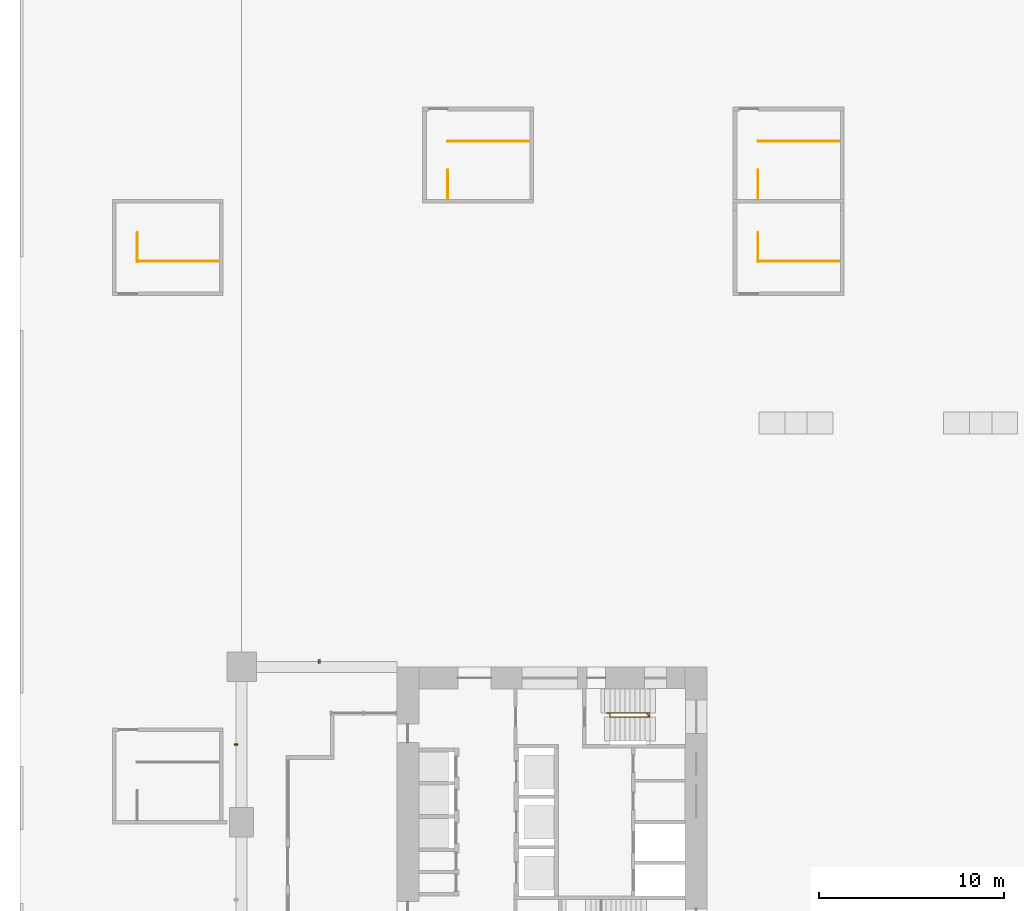
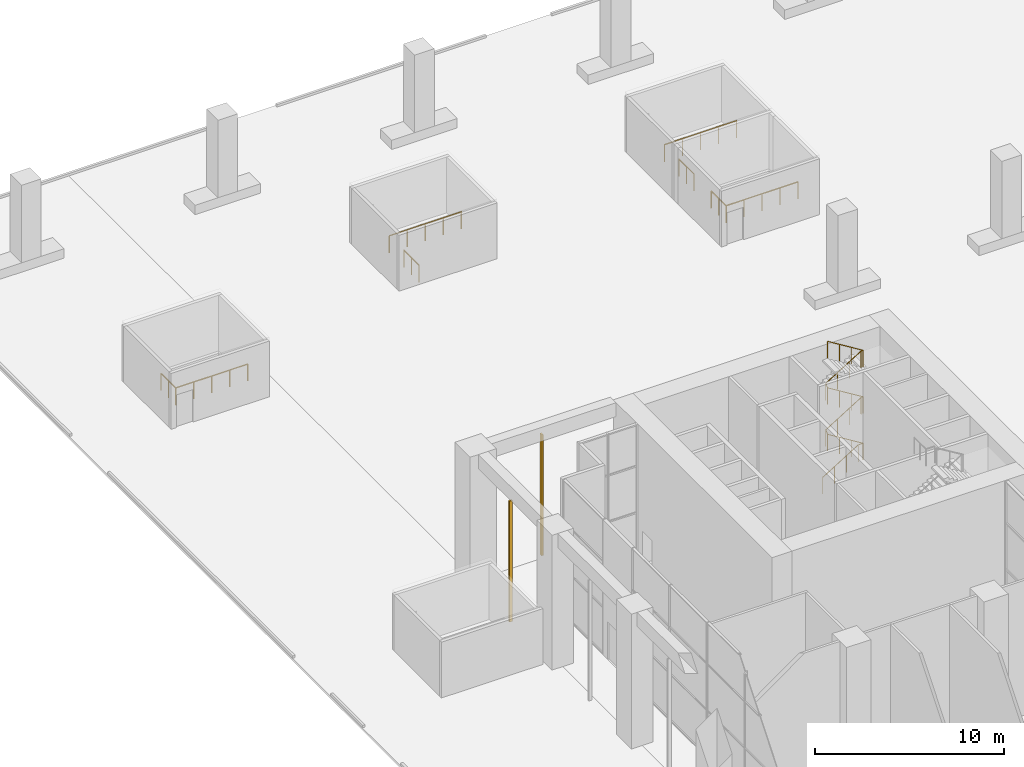
# One storey, part 41 of 46: 9 railings, 2 shading devices.
"""IFC4 building model written with IfcOpenShell, lengths in metres."""

from ifc_helpers import new_model, si_unit, direction, frame, origin, origin_2d, place, context, subcontext, project, spatial, rectangle, circle, extrude, material, material_profile, profile_set, type_object, element, save


model = new_model("IFC4")

# Units and contexts
model_context = context("Model", 3, precision=1e-05, world=origin(), true_north=direction((0.0, 1.0)))
body_context = subcontext(model_context, "Body", "Model", "MODEL_VIEW")
ifc_project = project(units=[si_unit("LENGTHUNIT", "METRE"), si_unit("AREAUNIT", "SQUARE_METRE"), si_unit("VOLUMEUNIT", "CUBIC_METRE"), si_unit("PLANEANGLEUNIT", "RADIAN"), si_unit("MASSUNIT", "GRAM", prefix="KILO")], contexts=[model_context])

# Site, building, storey
site_placement = place(None, origin())
site = spatial("IfcSite", under=ifc_project, at=site_placement, CompositionType="ELEMENT")
building_placement = place(site_placement, origin())
building = spatial("IfcBuilding", under=site, at=building_placement, Name="Vermilion Gate Residences", CompositionType="ELEMENT")
storey_placement = place(building_placement, origin())
storey = spatial("IfcBuildingStorey", under=building, at=storey_placement, Name="L00", CompositionType="ELEMENT", Elevation=0.0)

# Railings
ifc_material_1 = material(Name="Steel S355", Category="steel")
railing_type_1 = type_object("IfcRailingType", Name="STAIR GUARD 1100 STEEL", PredefinedType="GUARDRAIL", material=ifc_material_1)
railing_1_placement = place(storey_placement, frame((19.75, 56.300048828125, 0.166748046875)))
element("IfcRailing", 1, at=railing_1_placement, inside=storey, type_object=railing_type_1, Name="Stair well guard STB1-00", PredefinedType="GUARDRAIL", context=body_context, shape_type="SweptSolid", body=[
    extrude(circle(Radius=0.02392578125, at=origin_2d()), frame((0.0, 0.0, 1.076171875), z_axis=(0.850940886938, 0.0, 0.525261465307), x_axis=(0.0, 1.0, 0.0)), (0.0, 0.0, 1.0), 2.538330078125),
    extrude(circle(Radius=0.02392578125, at=origin_2d()), frame((2.159912109375, 0.0, 2.4091796875), z_axis=(0.56905867876, -0.631516338624, 0.52664915663), x_axis=(0.74288808428, 0.669415636384, 0.0)), (0.0, 0.0, 1.0), 0.316650390625),
    extrude(circle(Radius=0.02392578125, at=origin_2d()), frame((2.340087890625, -0.199951171875, 2.576171875), z_axis=(-0.850967420841, 0.0, 0.525218477081), x_axis=(0.0, -1.0, 0.0)), (0.0, 0.0, 1.0), 2.53857421875),
    extrude(circle(Radius=0.02392578125, at=origin_2d()), frame((0.179931640625, -0.199951171875, 3.9091796875), z_axis=(0.0, 0.767990643491, 0.640461061666), x_axis=(-1.0, 0.0, 0.0)), (0.0, 0.0, 1.0), 0.26025390625),
    extrude(circle(Radius=0.02392578125, at=origin_2d()), frame((0.179931640625, 0.0, 4.076171875), z_axis=(0.850967420841, 0.0, 0.525218477081), x_axis=(0.0, 1.0, 0.0)), (0.0, 0.0, 1.0), 2.53857421875),
    extrude(circle(Radius=0.02392578125, at=origin_2d()), frame((2.340087890625, 0.0, 5.4091796875), z_axis=(0.0, -0.767990643491, 0.640461061666), x_axis=(1.0, 0.0, 0.0)), (0.0, 0.0, 1.0), 0.26025390625),
    extrude(circle(Radius=0.02392578125, at=origin_2d()), frame((2.340087890625, -0.199951171875, 5.576171875), z_axis=(-0.850967420841, 0.0, 0.525218477081), x_axis=(0.0, -1.0, 0.0)), (0.0, 0.0, 1.0), 2.53857421875),
    extrude(circle(Radius=0.02392578125, at=origin_2d()), frame((0.179931640625, -0.199951171875, 6.9091796875), z_axis=(0.0, 0.767990643491, 0.640461061666), x_axis=(-1.0, 0.0, 0.0)), (0.0, 0.0, 1.0), 0.26025390625),
    extrude(circle(Radius=0.02392578125, at=origin_2d()), frame((0.179931640625, 0.0, 7.076171875), z_axis=(0.850967420841, 0.0, 0.525218477081), x_axis=(0.0, 1.0, 0.0)), (0.0, 0.0, 1.0), 2.53857421875),
    extrude(circle(Radius=0.02392578125, at=origin_2d()), frame((2.340087890625, 0.0, 8.4091796875), z_axis=(0.0, -0.767990643491, 0.640461061666), x_axis=(1.0, 0.0, 0.0)), (0.0, 0.0, 1.0), 0.26025390625),
    extrude(circle(Radius=0.02392578125, at=origin_2d()), frame((2.340087890625, -0.199951171875, 8.576171875), z_axis=(-0.850967420841, 0.0, 0.525218477081), x_axis=(0.0, -1.0, 0.0)), (0.0, 0.0, 1.0), 2.53857421875),
    extrude(circle(Radius=0.02099609375, at=origin_2d()), origin(), (0.0, 0.0, 1.0), 1.052001953125),
    extrude(circle(Radius=0.02099609375, at=origin_2d()), frame((0.719970703125, 0.0, 0.4443359375)), (0.0, 0.0, 1.0), 1.052001953125),
    extrude(circle(Radius=0.02099609375, at=origin_2d()), frame((1.43994140625, 0.0, 0.888916015625)), (0.0, 0.0, 1.0), 1.052001953125),
    extrude(circle(Radius=0.02099609375, at=origin_2d()), frame((2.159912109375, 0.0, 1.333251953125)), (0.0, 0.0, 1.0), 1.052001953125),
    extrude(circle(Radius=0.02099609375, at=origin_2d()), frame((2.340087890625, -0.199951171875, 1.5)), (0.0, 0.0, 1.0), 1.052001953125),
    extrude(circle(Radius=0.02099609375, at=origin_2d()), frame((1.6201171875, -0.199951171875, 1.9443359375)), (0.0, 0.0, 1.0), 1.052001953125),
    extrude(circle(Radius=0.02099609375, at=origin_2d()), frame((0.89990234375, -0.199951171875, 2.388916015625)), (0.0, 0.0, 1.0), 1.052001953125),
    extrude(circle(Radius=0.02099609375, at=origin_2d()), frame((0.179931640625, -0.199951171875, 2.833251953125)), (0.0, 0.0, 1.0), 1.052001953125),
    extrude(circle(Radius=0.02099609375, at=origin_2d()), frame((0.179931640625, 0.0, 3.0)), (0.0, 0.0, 1.0), 1.052001953125),
    extrude(circle(Radius=0.02099609375, at=origin_2d()), frame((0.89990234375, 0.0, 3.4443359375)), (0.0, 0.0, 1.0), 1.052001953125),
    extrude(circle(Radius=0.02099609375, at=origin_2d()), frame((1.6201171875, 0.0, 3.888916015625)), (0.0, 0.0, 1.0), 1.052001953125),
    extrude(circle(Radius=0.02099609375, at=origin_2d()), frame((2.340087890625, 0.0, 4.333251953125)), (0.0, 0.0, 1.0), 1.052001953125),
    extrude(circle(Radius=0.02099609375, at=origin_2d()), frame((2.340087890625, -0.199951171875, 4.5)), (0.0, 0.0, 1.0), 1.052001953125),
    extrude(circle(Radius=0.02099609375, at=origin_2d()), frame((1.6201171875, -0.199951171875, 4.9443359375)), (0.0, 0.0, 1.0), 1.052001953125),
    extrude(circle(Radius=0.02099609375, at=origin_2d()), frame((0.89990234375, -0.199951171875, 5.388916015625)), (0.0, 0.0, 1.0), 1.052001953125),
    extrude(circle(Radius=0.02099609375, at=origin_2d()), frame((0.179931640625, -0.199951171875, 5.833251953125)), (0.0, 0.0, 1.0), 1.052001953125),
    extrude(circle(Radius=0.02099609375, at=origin_2d()), frame((0.179931640625, 0.0, 6.0)), (0.0, 0.0, 1.0), 1.052001953125),
    extrude(circle(Radius=0.02099609375, at=origin_2d()), frame((0.89990234375, 0.0, 6.4443359375)), (0.0, 0.0, 1.0), 1.052001953125),
    extrude(circle(Radius=0.02099609375, at=origin_2d()), frame((1.6201171875, 0.0, 6.888916015625)), (0.0, 0.0, 1.0), 1.052001953125),
    extrude(circle(Radius=0.02099609375, at=origin_2d()), frame((2.340087890625, 0.0, 7.333251953125)), (0.0, 0.0, 1.0), 1.052001953125),
    extrude(circle(Radius=0.02099609375, at=origin_2d()), frame((2.340087890625, -0.199951171875, 7.5)), (0.0, 0.0, 1.0), 1.052001953125),
    extrude(circle(Radius=0.02099609375, at=origin_2d()), frame((1.6201171875, -0.199951171875, 7.9443359375)), (0.0, 0.0, 1.0), 1.052001953125),
    extrude(circle(Radius=0.02099609375, at=origin_2d()), frame((0.89990234375, -0.199951171875, 8.388916015625)), (0.0, 0.0, 1.0), 1.052001953125),
    extrude(circle(Radius=0.02099609375, at=origin_2d()), frame((0.179931640625, -0.199951171875, 8.833251953125)), (0.0, 0.0, 1.0), 1.052001953125),
])
ifc_material_2 = material(Name="Steel", Category="steel")
railing_type_2 = type_object("IfcRailingType", Name="STAIR WELL GUARD 1100 (AMENITY)", PredefinedType="GUARDRAIL", material=ifc_material_2)
railing_2_placement = place(storey_placement, frame((-5.64990234375, 80.719970703125, 0.0)))
element("IfcRailing", 2, at=railing_2_placement, inside=storey, type_object=railing_type_2, Name="Stair well guard 7", PredefinedType="GUARDRAIL", context=body_context, shape_type="SweptSolid", body=[
    extrude(circle(Radius=0.02392578125, at=origin_2d()), frame((0.0, 0.0, 1.076171875), z_axis=(0.0, 1.0, 0.0), x_axis=(-1.0, 0.0, 0.0)), (0.0, 0.0, 1.0), 1.580078125),
    extrude(circle(Radius=0.02099609375, at=origin_2d()), origin(), (0.0, 0.0, 1.0), 1.052001953125),
    extrude(circle(Radius=0.02099609375, at=origin_2d()), frame((0.0, 0.7900390625, 0.0)), (0.0, 0.0, 1.0), 1.052001953125),
    extrude(circle(Radius=0.02099609375, at=origin_2d()), frame((0.0, 1.580078125, 0.0)), (0.0, 0.0, 1.0), 1.052001953125),
])
railing_3_placement = place(storey_placement, frame((-5.64990234375, 80.75, 0.0)))
element("IfcRailing", 3, at=railing_3_placement, inside=storey, type_object=railing_type_2, Name="Stair well guard 7 side", PredefinedType="GUARDRAIL", context=body_context, shape_type="SweptSolid", body=[
    extrude(circle(Radius=0.02392578125, at=origin_2d()), frame((0.0, 0.0, 1.076171875), z_axis=(1.0, 0.0, 0.0), x_axis=(0.0, 1.0, 0.0)), (0.0, 0.0, 1.0), 4.39990234375),
    extrude(circle(Radius=0.02099609375, at=origin_2d()), origin(), (0.0, 0.0, 1.0), 1.052001953125),
    extrude(circle(Radius=0.02099609375, at=origin_2d()), frame((1.10009765625, 0.0, 0.0)), (0.0, 0.0, 1.0), 1.052001953125),
    extrude(circle(Radius=0.02099609375, at=origin_2d()), frame((2.199951171875, 0.0, 0.0)), (0.0, 0.0, 1.0), 1.052001953125),
    extrude(circle(Radius=0.02099609375, at=origin_2d()), frame((3.2998046875, 0.0, 0.0)), (0.0, 0.0, 1.0), 1.052001953125),
    extrude(circle(Radius=0.02099609375, at=origin_2d()), frame((4.39990234375, 0.0, 0.0)), (0.0, 0.0, 1.0), 1.052001953125),
])
railing_4_placement = place(storey_placement, frame((11.14990234375, 84.1201171875, 0.0)))
element("IfcRailing", 4, at=railing_4_placement, inside=storey, type_object=railing_type_2, Name="Stair well guard 8", PredefinedType="GUARDRAIL", context=body_context, shape_type="SweptSolid", body=[
    extrude(circle(Radius=0.02392578125, at=origin_2d()), frame((0.0, 0.0, 1.076171875), z_axis=(0.0, 1.0, 0.0), x_axis=(-1.0, 0.0, 0.0)), (0.0, 0.0, 1.0), 1.579833984375),
    extrude(circle(Radius=0.02099609375, at=origin_2d()), origin(), (0.0, 0.0, 1.0), 1.052001953125),
    extrude(circle(Radius=0.02099609375, at=origin_2d()), frame((0.0, 0.7900390625, 0.0)), (0.0, 0.0, 1.0), 1.052001953125),
    extrude(circle(Radius=0.02099609375, at=origin_2d()), frame((0.0, 1.579833984375, 0.0)), (0.0, 0.0, 1.0), 1.052001953125),
])
railing_5_placement = place(storey_placement, frame((11.14990234375, 87.25, 0.0)))
element("IfcRailing", 5, at=railing_5_placement, inside=storey, type_object=railing_type_2, Name="Stair well guard 8 side", PredefinedType="GUARDRAIL", context=body_context, shape_type="SweptSolid", body=[
    extrude(circle(Radius=0.02392578125, at=origin_2d()), frame((0.0, 0.0, 1.076171875), z_axis=(1.0, 0.0, 0.0), x_axis=(0.0, 1.0, 0.0)), (0.0, 0.0, 1.0), 4.400146484375),
    extrude(circle(Radius=0.02099609375, at=origin_2d()), origin(), (0.0, 0.0, 1.0), 1.052001953125),
    extrude(circle(Radius=0.02099609375, at=origin_2d()), frame((1.10009765625, 0.0, 0.0)), (0.0, 0.0, 1.0), 1.052001953125),
    extrude(circle(Radius=0.02099609375, at=origin_2d()), frame((2.2001953125, 0.0, 0.0)), (0.0, 0.0, 1.0), 1.052001953125),
    extrude(circle(Radius=0.02099609375, at=origin_2d()), frame((3.300048828125, 0.0, 0.0)), (0.0, 0.0, 1.0), 1.052001953125),
    extrude(circle(Radius=0.02099609375, at=origin_2d()), frame((4.400146484375, 0.0, 0.0)), (0.0, 0.0, 1.0), 1.052001953125),
])
railing_6_placement = place(storey_placement, frame((27.949951171875, 84.1201171875, 0.0)))
element("IfcRailing", 6, at=railing_6_placement, inside=storey, type_object=railing_type_2, Name="Stair well guard 9", PredefinedType="GUARDRAIL", context=body_context, shape_type="SweptSolid", body=[
    extrude(circle(Radius=0.02392578125, at=origin_2d()), frame((0.0, 0.0, 1.076171875), z_axis=(0.0, 1.0, 0.0), x_axis=(-1.0, 0.0, 0.0)), (0.0, 0.0, 1.0), 1.579833984375),
    extrude(circle(Radius=0.02099609375, at=origin_2d()), origin(), (0.0, 0.0, 1.0), 1.052001953125),
    extrude(circle(Radius=0.02099609375, at=origin_2d()), frame((0.0, 0.7900390625, 0.0)), (0.0, 0.0, 1.0), 1.052001953125),
    extrude(circle(Radius=0.02099609375, at=origin_2d()), frame((0.0, 1.579833984375, 0.0)), (0.0, 0.0, 1.0), 1.052001953125),
])
railing_7_placement = place(storey_placement, frame((27.949951171875, 87.25, 0.0)))
element("IfcRailing", 7, at=railing_7_placement, inside=storey, type_object=railing_type_2, Name="Stair well guard 9 side", PredefinedType="GUARDRAIL", context=body_context, shape_type="SweptSolid", body=[
    extrude(circle(Radius=0.02392578125, at=origin_2d()), frame((0.0, 0.0, 1.076171875), z_axis=(1.0, 0.0, 0.0), x_axis=(0.0, 1.0, 0.0)), (0.0, 0.0, 1.0), 4.400146484375),
    extrude(circle(Radius=0.02099609375, at=origin_2d()), origin(), (0.0, 0.0, 1.0), 1.052001953125),
    extrude(circle(Radius=0.02099609375, at=origin_2d()), frame((1.10009765625, 0.0, 0.0)), (0.0, 0.0, 1.0), 1.052001953125),
    extrude(circle(Radius=0.02099609375, at=origin_2d()), frame((2.2001953125, 0.0, 0.0)), (0.0, 0.0, 1.0), 1.052001953125),
    extrude(circle(Radius=0.02099609375, at=origin_2d()), frame((3.300048828125, 0.0, 0.0)), (0.0, 0.0, 1.0), 1.052001953125),
    extrude(circle(Radius=0.02099609375, at=origin_2d()), frame((4.400146484375, 0.0, 0.0)), (0.0, 0.0, 1.0), 1.052001953125),
])
railing_8_placement = place(storey_placement, frame((27.949951171875, 80.719970703125, 0.0)))
element("IfcRailing", 8, at=railing_8_placement, inside=storey, type_object=railing_type_2, Name="Stair well guard 10", PredefinedType="GUARDRAIL", context=body_context, shape_type="SweptSolid", body=[
    extrude(circle(Radius=0.02392578125, at=origin_2d()), frame((0.0, 0.0, 1.076171875), z_axis=(0.0, 1.0, 0.0), x_axis=(-1.0, 0.0, 0.0)), (0.0, 0.0, 1.0), 1.580078125),
    extrude(circle(Radius=0.02099609375, at=origin_2d()), origin(), (0.0, 0.0, 1.0), 1.052001953125),
    extrude(circle(Radius=0.02099609375, at=origin_2d()), frame((0.0, 0.7900390625, 0.0)), (0.0, 0.0, 1.0), 1.052001953125),
    extrude(circle(Radius=0.02099609375, at=origin_2d()), frame((0.0, 1.580078125, 0.0)), (0.0, 0.0, 1.0), 1.052001953125),
])
railing_9_placement = place(storey_placement, frame((27.949951171875, 80.75, 0.0)))
element("IfcRailing", 9, at=railing_9_placement, inside=storey, type_object=railing_type_2, Name="Stair well guard 10 side", PredefinedType="GUARDRAIL", context=body_context, shape_type="SweptSolid", body=[
    extrude(circle(Radius=0.02392578125, at=origin_2d()), frame((0.0, 0.0, 1.076171875), z_axis=(1.0, 0.0, 0.0), x_axis=(0.0, 1.0, 0.0)), (0.0, 0.0, 1.0), 4.400146484375),
    extrude(circle(Radius=0.02099609375, at=origin_2d()), origin(), (0.0, 0.0, 1.0), 1.052001953125),
    extrude(circle(Radius=0.02099609375, at=origin_2d()), frame((1.10009765625, 0.0, 0.0)), (0.0, 0.0, 1.0), 1.052001953125),
    extrude(circle(Radius=0.02099609375, at=origin_2d()), frame((2.2001953125, 0.0, 0.0)), (0.0, 0.0, 1.0), 1.052001953125),
    extrude(circle(Radius=0.02099609375, at=origin_2d()), frame((3.300048828125, 0.0, 0.0)), (0.0, 0.0, 1.0), 1.052001953125),
    extrude(circle(Radius=0.02099609375, at=origin_2d()), frame((4.400146484375, 0.0, 0.0)), (0.0, 0.0, 1.0), 1.052001953125),
])

# Shading devices
ifc_material_3 = material(Name="Extruded terracotta", Category="masonry")
ifc_material_profile = material_profile(ifc_material_3, rectangle(XDim=0.199951171875, YDim=0.10009765625, at=origin_2d()), Name="BAGUETTE 100 X 200")
ifc_profile_set = profile_set([ifc_material_profile], Name="Extruded terracotta")
shading_device_type = type_object("IfcShadingDeviceType", Name="TERRACOTTA BAGUETTE 100 X 200", PredefinedType="JALOUSIE", material=ifc_profile_set)
for number, where, z_axis, x_axis, name in (
    (10, (4.199951171875, 59.10009765625, 0.0), (0.0, 0.0, 1.0), (0.0, -1.0, 0.0), "BAGUETTE"),
    (11, (-0.300048828125, 54.60009765625, 0.0), (0.0, 0.0, 1.0), (1.0, 0.0, 0.0), "BAGUETTE"),
):
    element("IfcShadingDevice", number, at=place(storey_placement, frame(where, z_axis=z_axis, x_axis=x_axis)), inside=storey, type_object=shading_device_type, Name=name, PredefinedType="JALOUSIE", context=body_context, shape_type="SweptSolid", body=[
        extrude(rectangle(XDim=0.199951171875, YDim=0.10009765625, at=origin_2d()), origin(), (0.0, 0.0, 1.0), 7.800048828125),
    ])

save(model, "model.ifc")
